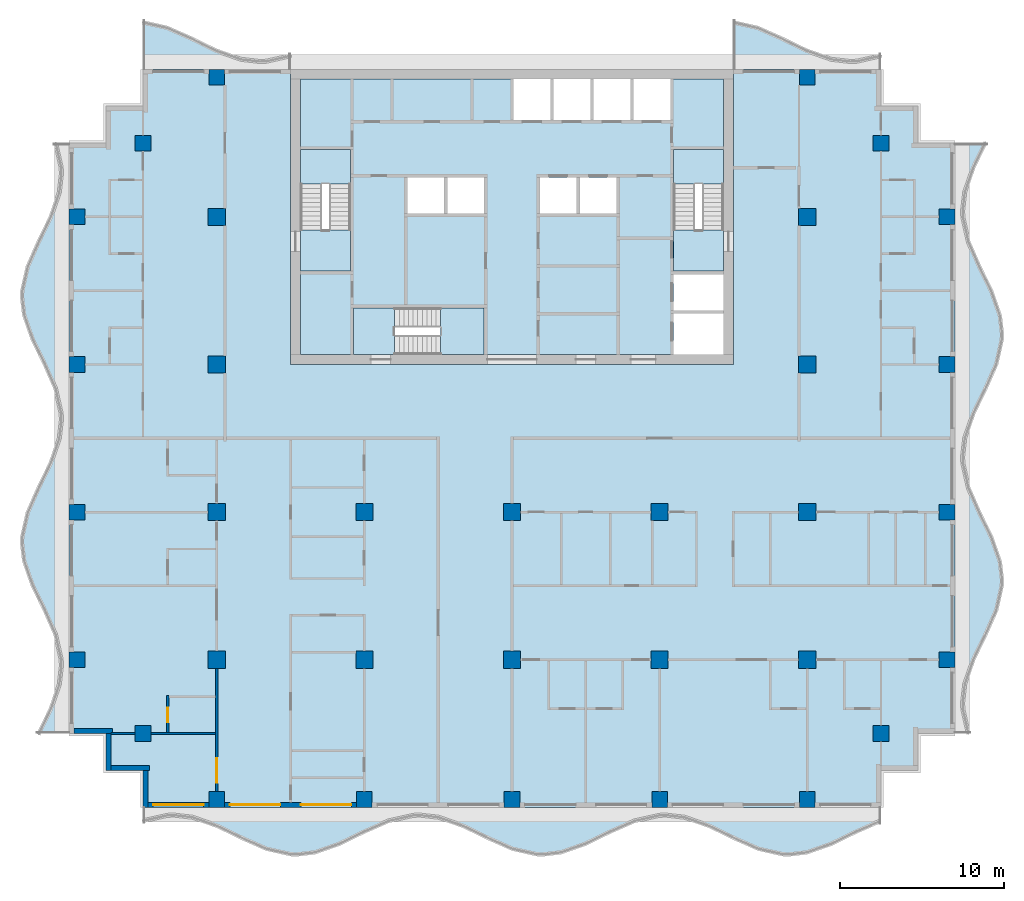
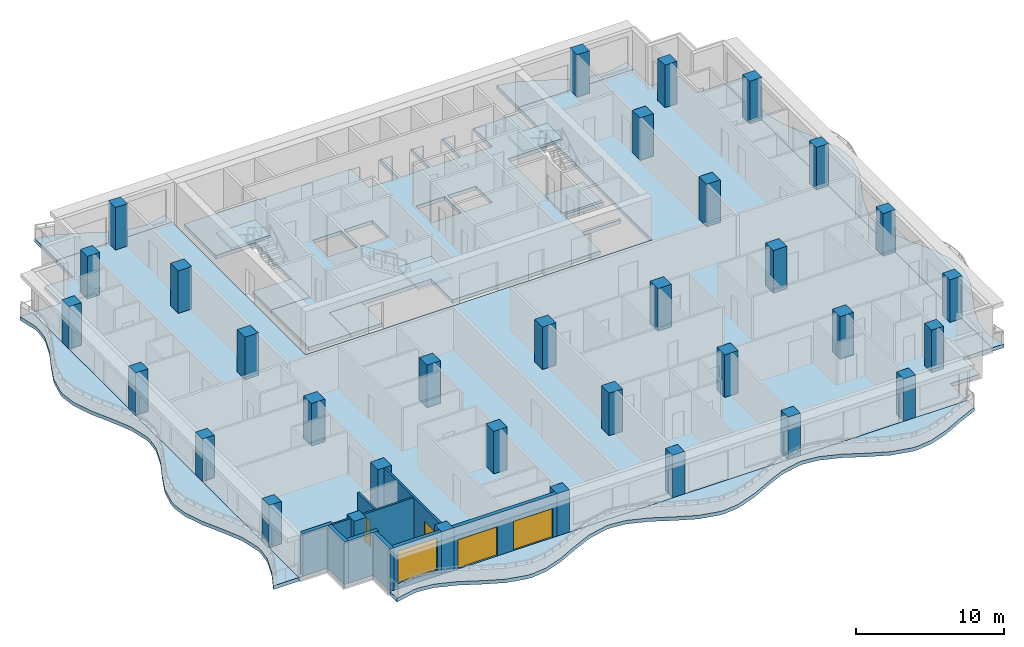
# One storey, part 1 of 11: 33 columns, 13 slabs, 10 walls, 4 doors, 1 window, 5 openings, 3 elements without a shape of their own.
"""IFC4 building model written with IfcOpenShell, lengths in metres."""

from ifc_helpers import new_model, si_unit, direction, frame, frame_2d, origin, origin_2d, place, context, subcontext, project, spatial, polyline, rectangle, outline, extrude, material, layer, layer_set, material_profile, profile_set, type_object, element, fill, aggregate, save


model = new_model("IFC4")

# Units and contexts
model_context = context("Model", 3, precision=1e-05, world=origin(), true_north=direction((0.0, 1.0)))
body_context = subcontext(model_context, "Body", "Model", "MODEL_VIEW")
ifc_project = project(units=[si_unit("LENGTHUNIT", "METRE"), si_unit("AREAUNIT", "SQUARE_METRE"), si_unit("VOLUMEUNIT", "CUBIC_METRE"), si_unit("PLANEANGLEUNIT", "RADIAN"), si_unit("MASSUNIT", "GRAM", prefix="KILO")], contexts=[model_context])

# Site, building, storey
site_placement = place(None, origin())
site = spatial("IfcSite", under=ifc_project, at=site_placement, CompositionType="ELEMENT")
building_placement = place(site_placement, origin())
building = spatial("IfcBuilding", under=site, at=building_placement, Name="Orbiselva Terraces", CompositionType="ELEMENT")
storey_placement = place(building_placement, frame((0.0, 0.0, 230.0)))
storey = spatial("IfcBuildingStorey", under=building, at=storey_placement, Name="L58", CompositionType="ELEMENT", Elevation=230.0)

# Columns
ifc_material_1 = material(Name="Concrete C50/60", Category="concrete")
ifc_material_profile_1 = material_profile(ifc_material_1, rectangle(XDim=1.05, YDim=1.05, at=origin_2d()), Name="RC 1050x1050")
ifc_profile_set_1 = profile_set([ifc_material_profile_1], Name="Concrete C50/60")
column_type_1 = type_object("IfcColumnType", Name="COLUMN RC 1050x1050", PredefinedType="COLUMN", material=ifc_profile_set_1)
for number, where, z_axis, x_axis, name in (
    (1, (-18.0, -13.5, 0.0), (0.0, 0.0, 1.0), (1.0, 0.0, 0.0), "Column L58-01"),
    (2, (-18.0, -4.5, 0.0), (0.0, 0.0, 1.0), (1.0, 0.0, 0.0), "Column L58-03"),
    (3, (-18.0, 13.5, 0.0), (0.0, 0.0, 1.0), (1.0, 0.0, 0.0), "Column L58-04"),
    (4, (-18.0, 4.5, 0.0), (0.0, 0.0, 1.0), (1.0, 0.0, 0.0), "Column L58-06"),
    (5, (-9.0, -13.5, 0.0), (0.0, 0.0, 1.0), (1.0, 0.0, 0.0), "Column L58-13"),
    (6, (-9.0, -4.5, 0.0), (0.0, 0.0, 1.0), (1.0, 0.0, 0.0), "Column L58-15"),
    (7, (0.0, -13.5, 0.0), (0.0, 0.0, 1.0), (1.0, 0.0, 0.0), "Column L58-16"),
    (8, (0.0, -4.5, 0.0), (0.0, 0.0, 1.0), (1.0, 0.0, 0.0), "Column L58-18"),
    (9, (18.0, -13.5, 0.0), (0.0, 0.0, 1.0), (1.0, 0.0, 0.0), "Column L58-19"),
    (10, (18.0, -4.5, 0.0), (0.0, 0.0, 1.0), (1.0, 0.0, 0.0), "Column L58-21"),
    (11, (18.0, 13.5, 0.0), (0.0, 0.0, 1.0), (1.0, 0.0, 0.0), "Column L58-22"),
    (12, (18.0, 4.5, 0.0), (0.0, 0.0, 1.0), (1.0, 0.0, 0.0), "Column L58-24"),
    (13, (9.0, -13.5, 0.0), (0.0, 0.0, 1.0), (1.0, 0.0, 0.0), "Column L58-31"),
    (14, (9.0, -4.5, 0.0), (0.0, 0.0, 1.0), (1.0, 0.0, 0.0), "Column L58-33"),
):
    element("IfcColumn", number, at=place(storey_placement, frame(where, z_axis=z_axis, x_axis=x_axis)), inside=storey, type_object=column_type_1, Name=name, PredefinedType="COLUMN", context=body_context, shape_type="SweptSolid", body=[
        extrude(rectangle(XDim=1.05, YDim=1.05, at=origin_2d()), origin(), (0.0, 0.0, 1.0), 3.5),
    ])
ifc_material_profile_2 = material_profile(ifc_material_1, rectangle(XDim=0.95, YDim=0.95, at=origin_2d()), Name="RC 950x950")
ifc_profile_set_2 = profile_set([ifc_material_profile_2], Name="Concrete C50/60")
column_type_2 = type_object("IfcColumnType", Name="PERIMETER COLUMN RC 950x950", PredefinedType="COLUMN", material=ifc_profile_set_2)
for number, where, z_axis, x_axis, name in (
    (15, (-18.0, -22.025, 0.0), (0.0, 0.0, 1.0), (1.0, 0.0, 0.0), "Column L58-02"),
    (16, (-18.0, 22.025, 0.0), (0.0, 0.0, 1.0), (1.0, 0.0, 0.0), "Column L58-05"),
    (17, (-26.525, -13.5, 0.0), (0.0, 0.0, 1.0), (1.0, 0.0, 0.0), "Column L58-07"),
    (18, (-22.5, -18.0, 0.0), (0.0, 0.0, 1.0), (1.0, 0.0, 0.0), "Column L58-08"),
    (19, (-26.525, -4.5, 0.0), (0.0, 0.0, 1.0), (1.0, 0.0, 0.0), "Column L58-09"),
    (20, (-26.525, 13.5, 0.0), (0.0, 0.0, 1.0), (1.0, 0.0, 0.0), "Column L58-10"),
    (21, (-22.5, 18.0, 0.0), (0.0, 0.0, 1.0), (1.0, 0.0, 0.0), "Column L58-11"),
    (22, (-26.525, 4.5, 0.0), (0.0, 0.0, 1.0), (1.0, 0.0, 0.0), "Column L58-12"),
    (23, (-9.0, -22.025, 0.0), (0.0, 0.0, 1.0), (1.0, 0.0, 0.0), "Column L58-14"),
    (24, (0.0, -22.025, 0.0), (0.0, 0.0, 1.0), (1.0, 0.0, 0.0), "Column L58-17"),
    (25, (18.0, -22.025, 0.0), (0.0, 0.0, 1.0), (1.0, 0.0, 0.0), "Column L58-20"),
    (26, (18.0, 22.025, 0.0), (0.0, 0.0, 1.0), (1.0, 0.0, 0.0), "Column L58-23"),
    (27, (26.525, -13.5, 0.0), (0.0, 0.0, 1.0), (1.0, 0.0, 0.0), "Column L58-25"),
    (28, (22.5, -18.0, 0.0), (0.0, 0.0, 1.0), (1.0, 0.0, 0.0), "Column L58-26"),
    (29, (26.525, -4.5, 0.0), (0.0, 0.0, 1.0), (1.0, 0.0, 0.0), "Column L58-27"),
    (30, (26.525, 13.5, 0.0), (0.0, 0.0, 1.0), (1.0, 0.0, 0.0), "Column L58-28"),
    (31, (22.5, 18.0, 0.0), (0.0, 0.0, 1.0), (1.0, 0.0, 0.0), "Column L58-29"),
    (32, (26.525, 4.5, 0.0), (0.0, 0.0, 1.0), (1.0, 0.0, 0.0), "Column L58-30"),
    (33, (9.0, -22.025, 0.0), (0.0, 0.0, 1.0), (1.0, 0.0, 0.0), "Column L58-32"),
):
    element("IfcColumn", number, at=place(storey_placement, frame(where, z_axis=z_axis, x_axis=x_axis)), inside=storey, type_object=column_type_2, Name=name, PredefinedType="COLUMN", context=body_context, shape_type="SweptSolid", body=[
        extrude(rectangle(XDim=0.95, YDim=0.95, at=origin_2d()), origin(), (0.0, 0.0, 1.0), 3.5),
    ])

# Slabs
ifc_material_2 = material(Name="Concrete C40/50", Category="concrete")
ifc_layer_1 = layer(ifc_material_2, 0.3)
ifc_layer_set_1 = layer_set([ifc_layer_1], Name="Concrete C40/50")
slab_type_1 = type_object("IfcSlabType", Name="CORE-SLAB-FLOOR-300", PredefinedType="FLOOR", material=ifc_layer_set_1)
slab_1_placement = place(storey_placement, frame((0.0, 0.0, -0.3)))
element("IfcSlab", 34, at=slab_1_placement, inside=storey, type_object=slab_type_1, Name="L58 S1 floor landing", PredefinedType="FLOOR", context=body_context, shape_type="SweptSolid", body=[
    extrude(outline(polyline([(-12.9, 12.7), (-9.85, 12.7), (-9.85, 10.2), (-12.9, 10.2), (-12.9, 12.7)])), origin(), (0.0, 0.0, 1.0), 0.3),
])
slab_2_placement = place(storey_placement, frame((0.0, 0.0, -0.3)))
element("IfcSlab", 35, at=slab_2_placement, inside=storey, type_object=slab_type_1, Name="L58 S2 floor landing", PredefinedType="FLOOR", context=body_context, shape_type="SweptSolid", body=[
    extrude(outline(polyline([(12.9, 12.7), (12.9, 10.2), (9.85, 10.2), (9.85, 12.7), (12.9, 12.7)])), origin(), (0.0, 0.0, 1.0), 0.3),
])
slab_3_placement = place(storey_placement, frame((0.0, 0.0, -0.3)))
element("IfcSlab", 36, at=slab_3_placement, inside=storey, type_object=slab_type_1, Name="L58 S3 floor landing", PredefinedType="FLOOR", context=body_context, shape_type="SweptSolid", body=[
    extrude(outline(polyline([(-7.15, 5.1), (-9.65, 5.1), (-9.65, 7.95), (-7.15, 7.95), (-7.15, 5.1)])), origin(), (0.0, 0.0, 1.0), 0.3),
])
slab_4_placement = place(storey_placement, frame((0.0, 0.0, -0.3)))
element("IfcSlab", 37, at=slab_4_placement, inside=storey, type_object=slab_type_1, Name="L58 core floor slab 1", PredefinedType="FLOOR", context=body_context, shape_type="SweptSolid", body=[
    extrude(outline(polyline([(-1.7, 5.1), (-1.7, 7.95), (-9.65, 7.95), (-9.65, 5.1), (-12.9, 5.1), (-12.9, 10.2), (-9.85, 10.2), (-9.85, 17.6), (-12.9, 17.6), (-12.9, 21.9), (0.1, 21.9), (0.1, 19.4), (2.3375, 19.4), (2.3375, 21.9), (2.5375, 21.9), (2.5375, 19.4), (4.775, 19.4), (4.775, 21.9), (4.975, 21.9), (4.975, 19.4), (7.2125, 19.4), (7.2125, 21.9), (7.4125, 21.9), (7.4125, 19.4), (9.65, 19.4), (9.65, 21.9), (12.9, 21.9), (12.9, 17.6), (9.85, 17.6), (9.85, 10.2), (12.9, 10.2), (12.9, 10.0), (9.85, 10.0), (9.85, 7.8), (12.9, 7.8), (12.9, 7.6), (9.85, 7.6), (9.85, 5.1), (-1.7, 5.1)]), holes=[polyline([(-4.1375, 13.7), (-4.1375, 15.9), (-6.375, 15.9), (-6.375, 13.7), (-4.1375, 13.7)]), polyline([(-1.7, 13.7), (-1.7, 15.9), (-3.9375, 15.9), (-3.9375, 13.7), (-1.7, 13.7)]), polyline([(3.9375, 15.9), (1.7, 15.9), (1.7, 13.7), (3.9375, 13.7), (3.9375, 15.9)]), polyline([(6.375, 13.7), (6.375, 15.9), (4.1375, 15.9), (4.1375, 13.7), (6.375, 13.7)])]), origin(), (0.0, 0.0, 1.0), 0.3),
])

# Stair, slab
stair_type_1 = type_object("IfcStairType", Name="CORE-STAIR-1300", PredefinedType="HALF_TURN_STAIR", material=ifc_material_2)
stair_1_placement = place(storey_placement, origin())
stair_1 = element("IfcStair", 38, at=stair_1_placement, inside=storey, type_object=stair_type_1, Name="L58 Exit Stair S1", PredefinedType="HALF_TURN_STAIR")
ifc_layer_2 = layer(ifc_material_2, 0.2)
ifc_layer_set_2 = layer_set([ifc_layer_2], Name="Concrete C40/50")
slab_type_2 = type_object("IfcSlabType", Name="CORE-STAIR-LANDING-200", PredefinedType="LANDING", material=ifc_layer_set_2)
slab_5_placement = place(storey_placement, frame((0.0, 0.0, 1.7)))
slab_5 = element("IfcSlab", 39, at=slab_5_placement, type_object=slab_type_2, Name="S1 landing 1", PredefinedType="LANDING", context=body_context, shape_type="SweptSolid", body=[
    extrude(outline(polyline([(-9.85, 15.5), (-9.85, 17.6), (-12.9, 17.6), (-12.9, 15.5), (-9.85, 15.5)])), origin(), (0.0, 0.0, 1.0), 0.2),
])
aggregate(stair_1, [slab_5])

stair_2_placement = place(storey_placement, origin())
stair_2 = element("IfcStair", 40, at=stair_2_placement, inside=storey, type_object=stair_type_1, Name="L58 Exit Stair S2", PredefinedType="HALF_TURN_STAIR")
slab_6_placement = place(storey_placement, frame((0.0, 0.0, 1.7)))
slab_6 = element("IfcSlab", 41, at=slab_6_placement, type_object=slab_type_2, Name="S2 landing 1", PredefinedType="LANDING", context=body_context, shape_type="SweptSolid", body=[
    extrude(outline(polyline([(12.9, 15.5), (12.9, 17.6), (9.85, 17.6), (9.85, 15.5), (12.9, 15.5)])), origin(), (0.0, 0.0, 1.0), 0.2),
])
aggregate(stair_2, [slab_6])

stair_type_2 = type_object("IfcStairType", Name="CORE-STAIR-1200", PredefinedType="HALF_TURN_STAIR", material=ifc_material_2)
stair_3_placement = place(storey_placement, origin())
stair_3 = element("IfcStair", 42, at=stair_3_placement, inside=storey, type_object=stair_type_2, Name="L58 Exit Stair S3", PredefinedType="HALF_TURN_STAIR")
slab_7_placement = place(storey_placement, frame((0.0, 0.0, 1.7)))
slab_7 = element("IfcSlab", 43, at=slab_7_placement, type_object=slab_type_2, Name="S3 landing 1", PredefinedType="LANDING", context=body_context, shape_type="SweptSolid", body=[
    extrude(outline(polyline([(-4.35, 5.1), (-1.7, 5.1), (-1.7, 7.95), (-4.35, 7.95), (-4.35, 5.1)])), origin(), (0.0, 0.0, 1.0), 0.2),
])
aggregate(stair_3, [slab_7])

# Slabs
ifc_layer_3 = layer(ifc_material_1, 0.3)
ifc_layer_set_3 = layer_set([ifc_layer_3], Name="Concrete C50/60")
slab_type_3 = type_object("IfcSlabType", Name="ENV-BALCONY-SLAB-300", PredefinedType="FLOOR", material=ifc_layer_set_3)
slab_8_placement = place(storey_placement, frame((0.0, 0.0, -0.3)))
element("IfcSlab", 44, at=slab_8_placement, inside=storey, type_object=slab_type_3, Name="Balcony slab L58 S", PredefinedType="FLOOR", context=body_context, shape_type="SweptSolid", body=[
    extrude(outline(polyline([(-22.5, -23.451472), (-21.0, -23.114774), (-20.625, -23.1), (-19.5, -23.230792), (-18.0, -23.755211), (-16.5, -24.487721), (-15.0, -25.148528), (-13.5, -25.485226), (-13.125, -25.5), (-12.0, -25.369208), (-10.5, -24.844789), (-9.0, -24.112279), (-7.5, -23.451472), (-6.0, -23.114774), (-5.625, -23.1), (-4.5, -23.230792), (-3.0, -23.755211), (-1.5, -24.487721), (0.0, -25.148528), (1.5, -25.485226), (1.875, -25.5), (3.0, -25.369208), (4.5, -24.844789), (6.0, -24.112279), (7.5, -23.451472), (9.0, -23.114774), (9.375, -23.1), (10.5, -23.230792), (12.0, -23.755211), (13.5, -24.487721), (15.0, -25.148528), (16.5, -25.485226), (16.875, -25.5), (18.0, -25.369208), (19.5, -24.844789), (21.0, -24.112279), (22.5, -23.451472), (22.5, -22.5), (-22.5, -22.5), (-22.5, -23.451472)])), origin(), (0.0, 0.0, 1.0), 0.3),
])
slab_9_placement = place(storey_placement, frame((0.0, 0.0, -0.3)))
element("IfcSlab", 45, at=slab_9_placement, inside=storey, type_object=slab_type_3, Name="Balcony slab L58 E", PredefinedType="FLOOR", context=body_context, shape_type="SweptSolid", body=[
    extrude(outline(polyline([(27.951472, -18.0), (27.614774, -16.5), (27.6, -16.125), (27.730792, -15.0), (28.255211, -13.5), (28.987721, -12.0), (29.648528, -10.5), (29.985226, -9.0), (30.0, -8.625), (29.869208, -7.5), (29.344789, -6.0), (28.612279, -4.5), (27.951472, -3.0), (27.614774, -1.5), (27.6, -1.125), (27.730792, 0.0), (28.255211, 1.5), (28.987721, 3.0), (29.648528, 4.5), (29.985226, 6.0), (30.0, 6.375), (29.869208, 7.5), (29.344789, 9.0), (28.612279, 10.5), (27.951472, 12.0), (27.614774, 13.5), (27.6, 13.875), (27.730792, 15.0), (28.255211, 16.5), (28.987721, 18.0), (27.0, 18.0), (27.0, -18.0), (27.951472, -18.0)])), origin(), (0.0, 0.0, 1.0), 0.3),
])
slab_10_placement = place(storey_placement, frame((0.0, 0.0, -0.3)))
element("IfcSlab", 46, at=slab_10_placement, inside=storey, type_object=slab_type_3, Name="Balcony slab L58 NE", PredefinedType="FLOOR", context=body_context, shape_type="SweptSolid", body=[
    extrude(outline(polyline([(22.5, 23.451472), (21.0, 23.114774), (20.625, 23.1), (19.5, 23.230792), (18.0, 23.755211), (16.5, 24.487721), (15.0, 25.148528), (13.5, 25.485226), (13.5, 22.5), (22.5, 22.5), (22.5, 23.451472)])), origin(), (0.0, 0.0, 1.0), 0.3),
])
slab_11_placement = place(storey_placement, frame((0.0, 0.0, -0.3)))
element("IfcSlab", 47, at=slab_11_placement, inside=storey, type_object=slab_type_3, Name="Balcony slab L58 NW", PredefinedType="FLOOR", context=body_context, shape_type="SweptSolid", body=[
    extrude(outline(polyline([(-13.5, 23.451472), (-15.0, 23.114774), (-15.375, 23.1), (-16.5, 23.230792), (-18.0, 23.755211), (-19.5, 24.487721), (-21.0, 25.148528), (-22.5, 25.485226), (-22.5, 22.5), (-13.5, 22.5), (-13.5, 23.451472)])), origin(), (0.0, 0.0, 1.0), 0.3),
])
slab_12_placement = place(storey_placement, frame((0.0, 0.0, -0.3)))
element("IfcSlab", 48, at=slab_12_placement, inside=storey, type_object=slab_type_3, Name="Balcony slab L58 W", PredefinedType="FLOOR", context=body_context, shape_type="SweptSolid", body=[
    extrude(outline(polyline([(-27.951472, 18.0), (-27.614774, 16.5), (-27.6, 16.125), (-27.730792, 15.0), (-28.255211, 13.5), (-28.987721, 12.0), (-29.648528, 10.5), (-29.985226, 9.0), (-30.0, 8.625), (-29.869208, 7.5), (-29.344789, 6.0), (-28.612279, 4.5), (-27.951472, 3.0), (-27.614774, 1.5), (-27.6, 1.125), (-27.730792, 0.0), (-28.255211, -1.5), (-28.987721, -3.0), (-29.648528, -4.5), (-29.985226, -6.0), (-30.0, -6.375), (-29.869208, -7.5), (-29.344789, -9.0), (-28.612279, -10.5), (-27.951472, -12.0), (-27.614774, -13.5), (-27.6, -13.875), (-27.730792, -15.0), (-28.255211, -16.5), (-28.987721, -18.0), (-27.0, -18.0), (-27.0, 18.0), (-27.951472, 18.0)])), origin(), (0.0, 0.0, 1.0), 0.3),
])
ifc_layer_4 = layer(ifc_material_1, 0.3)
ifc_layer_set_4 = layer_set([ifc_layer_4], Name="Concrete C50/60")
slab_type_4 = type_object("IfcSlabType", Name="FLOOR SLAB 300", PredefinedType="FLOOR", material=ifc_layer_set_4)
slab_13_placement = place(storey_placement, frame((0.0, 0.0, -0.3)))
element("IfcSlab", 49, at=slab_13_placement, inside=storey, type_object=slab_type_4, Name="Floor slab L58", PredefinedType="FLOOR", context=body_context, shape_type="SweptSolid", body=[
    extrude(outline(polyline([(22.5, 22.5), (22.5, 20.25), (24.75, 20.25), (24.75, 18.0), (27.0, 18.0), (27.0, -18.0), (24.75, -18.0), (24.75, -20.25), (22.5, -20.25), (22.5, -22.5), (-22.5, -22.5), (-22.5, -20.25), (-24.75, -20.25), (-24.75, -18.0), (-27.0, -18.0), (-27.0, 18.0), (-24.75, 18.0), (-24.75, 20.25), (-22.5, 20.25), (-22.5, 22.5), (-13.5, 22.5), (-13.5, 4.5), (13.5, 4.5), (13.5, 22.5), (22.5, 22.5)])), origin(), (0.0, 0.0, 1.0), 0.3),
])

# Wall, opening, window
ifc_material_3 = material(Name="Terracotta cladding on masonry backing", Category="masonry")
ifc_layer_5 = layer(ifc_material_3, 0.3)
ifc_layer_set_5 = layer_set([ifc_layer_5], Name="Terracotta cladding on masonry backing")
wall_type_1 = type_object("IfcWallType", Name="ENV-WALL-TERRACOTTA-300", PredefinedType="SOLIDWALL", material=ifc_layer_set_5)
wall_1_placement = place(storey_placement, frame((-18.475, -22.35, 0.0), z_axis=(0.0, 0.0, 1.0), x_axis=(-1.0, 0.0, 0.0)))
wall_1 = element("IfcWall", 50, at=wall_1_placement, inside=storey, type_object=wall_type_1, Name="Facade wall L58 S", PredefinedType="SOLIDWALL", context=body_context, shape_type="SweptSolid", body=[
    extrude(rectangle(XDim=3.725, YDim=0.3, at=frame_2d((1.8625, 0.0))), origin(), (0.0, 0.0, 1.0), 3.5),
])
opening_1_placement = place(wall_1_placement, frame((0.325, 0.0, 0.45)))
opening_1 = element("IfcOpeningElement", 51, at=opening_1_placement, cuts=wall_1, Name="Opening WN15", PredefinedType="OPENING", context=body_context, shape_type="SweptSolid", body=[
    extrude(rectangle(XDim=3.075, YDim=2.65, at=frame_2d((1.5375, 1.325))), frame((0.0, 0.16, 0.0), z_axis=(0.0, -1.0, 0.0), x_axis=(1.0, 0.0, 0.0)), (0.0, 0.0, 1.0), 0.32),
])
ifc_material_4 = material(Name="Clear low-e glazing in aluminium frame", Category="aluminium")
window_type = type_object("IfcWindowType", Name="WINDOW 3075 X 2650 S450", PartitioningType="TRIPLE_PANEL_VERTICAL", PredefinedType="WINDOW", material=ifc_material_4)
window_placement = place(opening_1_placement, origin())
window = element("IfcWindow", 52, at=window_placement, inside=storey, type_object=window_type, Name="Window L58 S", OverallHeight=2.65, OverallWidth=3.075, PartitioningType="SINGLE_PANEL", PredefinedType="WINDOW", context=body_context, shape_type="SweptSolid", body=[
    extrude(rectangle(XDim=3.075, YDim=2.65, at=frame_2d((1.5375, 1.325))), frame((0.0, 0.03, 0.0), z_axis=(0.0, -1.0, 0.0), x_axis=(1.0, 0.0, 0.0)), (0.0, 0.0, 1.0), 0.06),
])
fill(opening_1, window)

# Wall, openings, doors
wall_2_placement = place(storey_placement, frame((-9.475, -22.35, 0.0), z_axis=(0.0, 0.0, 1.0), x_axis=(-1.0, 0.0, 0.0)))
wall_2 = element("IfcWall", 53, at=wall_2_placement, inside=storey, type_object=wall_type_1, Name="Facade wall L58 S", PredefinedType="SOLIDWALL", context=body_context, shape_type="SweptSolid", body=[
    extrude(rectangle(XDim=8.05, YDim=0.3, at=frame_2d((4.025, 0.0))), origin(), (0.0, 0.0, 1.0), 3.5),
])
opening_2_placement = place(wall_2_placement, frame((4.65, 0.0, 0.0)))
opening_2 = element("IfcOpeningElement", 54, at=opening_2_placement, cuts=wall_2, Name="Opening Z4-E-E10", PredefinedType="OPENING", context=body_context, shape_type="SweptSolid", body=[
    extrude(rectangle(XDim=3.075, YDim=2.4, at=frame_2d((1.5375, 1.2))), frame((0.0, 0.16, 0.0), z_axis=(0.0, -1.0, 0.0), x_axis=(1.0, 0.0, 0.0)), (0.0, 0.0, 1.0), 0.32),
])
opening_3_placement = place(wall_2_placement, frame((0.325, 0.0, 0.0)))
opening_3 = element("IfcOpeningElement", 55, at=opening_3_placement, cuts=wall_2, Name="Opening Z4-E-E01", PredefinedType="OPENING", context=body_context, shape_type="SweptSolid", body=[
    extrude(rectangle(XDim=3.075, YDim=2.4, at=frame_2d((1.5375, 1.2))), frame((0.0, 0.16, 0.0), z_axis=(0.0, -1.0, 0.0), x_axis=(1.0, 0.0, 0.0)), (0.0, 0.0, 1.0), 0.32),
])
door_type_1 = type_object("IfcDoorType", Name="BALCONY DOOR 3075 X 2400", OperationType="DOUBLE_DOOR_SLIDING", PredefinedType="DOOR", material=ifc_material_4)
door_1_placement = place(opening_2_placement, origin())
door_1 = element("IfcDoor", 56, at=door_1_placement, inside=storey, type_object=door_type_1, Name="Z4-E-E10", OperationType="SINGLE_SWING_LEFT", OverallHeight=2.4, OverallWidth=3.075, PredefinedType="DOOR", context=body_context, shape_type="SweptSolid", body=[
    extrude(rectangle(XDim=3.075, YDim=2.4, at=frame_2d((1.5375, 1.2))), frame((0.0, 0.025, 0.0), z_axis=(0.0, -1.0, 0.0), x_axis=(1.0, 0.0, 0.0)), (0.0, 0.0, 1.0), 0.05),
])
fill(opening_2, door_1)
door_2_placement = place(opening_3_placement, origin())
door_2 = element("IfcDoor", 57, at=door_2_placement, inside=storey, type_object=door_type_1, Name="Z4-E-E01", OperationType="SINGLE_SWING_LEFT", OverallHeight=2.4, OverallWidth=3.075, PredefinedType="DOOR", context=body_context, shape_type="SweptSolid", body=[
    extrude(rectangle(XDim=3.075, YDim=2.4, at=frame_2d((1.5375, 1.2))), frame((0.0, 0.025, 0.0), z_axis=(0.0, -1.0, 0.0), x_axis=(1.0, 0.0, 0.0)), (0.0, 0.0, 1.0), 0.05),
])
fill(opening_3, door_2)

# Walls
wall_3_placement = place(storey_placement, frame((-24.35, -17.85, 0.0), z_axis=(0.0, 0.0, 1.0), x_axis=(-1.0, 0.0, 0.0)))
element("IfcWall", 58, at=wall_3_placement, inside=storey, type_object=wall_type_1, Name="Facade wall L58 STEP", PredefinedType="SOLIDWALL", context=body_context, shape_type="SweptSolid", body=[
    extrude(rectangle(XDim=2.35, YDim=0.3, at=frame_2d((1.175, 0.0))), origin(), (0.0, 0.0, 1.0), 3.5),
])
wall_4_placement = place(storey_placement, frame((-24.6, -20.25, 0.0), z_axis=(0.0, 0.0, 1.0), x_axis=(0.0, 1.0, 0.0)))
element("IfcWall", 59, at=wall_4_placement, inside=storey, type_object=wall_type_1, Name="Facade wall L58 STEP", PredefinedType="SOLIDWALL", context=body_context, shape_type="SweptSolid", body=[
    extrude(rectangle(XDim=2.25, YDim=0.3, at=frame_2d((1.125, 0.0))), origin(), (0.0, 0.0, 1.0), 3.5),
])
wall_5_placement = place(storey_placement, frame((-22.1, -20.1, 0.0), z_axis=(0.0, 0.0, 1.0), x_axis=(-1.0, 0.0, 0.0)))
element("IfcWall", 60, at=wall_5_placement, inside=storey, type_object=wall_type_1, Name="Facade wall L58 STEP", PredefinedType="SOLIDWALL", context=body_context, shape_type="SweptSolid", body=[
    extrude(rectangle(XDim=2.35, YDim=0.3, at=frame_2d((1.175, 0.0))), origin(), (0.0, 0.0, 1.0), 3.5),
])
wall_6_placement = place(storey_placement, frame((-22.35, -22.5, 0.0), z_axis=(0.0, 0.0, 1.0), x_axis=(0.0, 1.0, 0.0)))
element("IfcWall", 61, at=wall_6_placement, inside=storey, type_object=wall_type_1, Name="Facade wall L58 STEP", PredefinedType="SOLIDWALL", context=body_context, shape_type="SweptSolid", body=[
    extrude(rectangle(XDim=2.25, YDim=0.3, at=frame_2d((1.125, 0.0))), origin(), (0.0, 0.0, 1.0), 3.5),
])
ifc_material_5 = material(Name="Plasterboard on steel stud partition", Category="steel")
ifc_layer_6 = layer(ifc_material_5, 0.15)
ifc_layer_set_6 = layer_set([ifc_layer_6], Name="Plasterboard on steel stud partition")
wall_type_2 = type_object("IfcWallType", Name="UNIT-PARTITION-150", PredefinedType="PARTITIONING", material=ifc_layer_set_6)
wall_7_placement = place(storey_placement, frame((-24.45, -18.0, 0.0), z_axis=(0.0, 0.0, 1.0), x_axis=(1.0, 0.0, 0.0)))
element("IfcWall", 62, at=wall_7_placement, inside=storey, type_object=wall_type_2, Name="PARTITION L58-003", PredefinedType="PARTITIONING", context=body_context, shape_type="SweptSolid", body=[
    extrude(rectangle(XDim=1.475, YDim=0.15, at=frame_2d((0.7375, 0.0))), origin(), (0.0, 0.0, 1.0), 3.5),
])
wall_8_placement = place(storey_placement, frame((-22.025, -18.0, 0.0), z_axis=(0.0, 0.0, 1.0), x_axis=(1.0, 0.0, 0.0)))
element("IfcWall", 63, at=wall_8_placement, inside=storey, type_object=wall_type_2, Name="PARTITION L58-004", PredefinedType="PARTITIONING", context=body_context, shape_type="SweptSolid", body=[
    extrude(rectangle(XDim=3.95, YDim=0.15, at=frame_2d((1.975, 0.0))), origin(), (0.0, 0.0, 1.0), 3.5),
])

# Wall, opening, door
wall_9_placement = place(storey_placement, frame((-21.0, -15.675, 0.0), z_axis=(0.0, 0.0, 1.0), x_axis=(0.0, -1.0, 0.0)))
wall_9 = element("IfcWall", 64, at=wall_9_placement, inside=storey, type_object=wall_type_2, Name="PARTITION L58-051", PredefinedType="PARTITIONING", context=body_context, shape_type="SweptSolid", body=[
    extrude(rectangle(XDim=2.25, YDim=0.15, at=frame_2d((1.125, 0.0))), origin(), (0.0, 0.0, 1.0), 3.5),
])
opening_4_placement = place(wall_9_placement, frame((0.75, 0.0, 0.0)))
opening_4 = element("IfcOpeningElement", 65, at=opening_4_placement, cuts=wall_9, Name="Opening Z4-E-28", PredefinedType="OPENING", context=body_context, shape_type="SweptSolid", body=[
    extrude(rectangle(XDim=0.9, YDim=2.1, at=frame_2d((0.45, 1.05))), frame((0.0, 0.085, 0.0), z_axis=(0.0, -1.0, 0.0), x_axis=(1.0, 0.0, 0.0)), (0.0, 0.0, 1.0), 0.17),
])
ifc_material_6 = material(Name="Painted timber door leaf", Category="wood")
door_type_2 = type_object("IfcDoorType", Name="BATH DOOR 900", OperationType="NOTDEFINED", PredefinedType="DOOR", material=ifc_material_6)
door_3_placement = place(opening_4_placement, origin())
door_3 = element("IfcDoor", 66, at=door_3_placement, inside=storey, type_object=door_type_2, Name="Z4-E-28", OperationType="SINGLE_SWING_RIGHT", OverallHeight=2.1, OverallWidth=0.9, PredefinedType="DOOR", context=body_context, shape_type="SweptSolid", body=[
    extrude(rectangle(XDim=0.9, YDim=2.1, at=frame_2d((0.45, 1.05))), frame((0.0, 0.025, 0.0), z_axis=(0.0, -1.0, 0.0), x_axis=(1.0, 0.0, 0.0)), (0.0, 0.0, 1.0), 0.05),
])
fill(opening_4, door_3)

wall_10_placement = place(storey_placement, frame((-18.0, -21.55, 0.0), z_axis=(0.0, 0.0, 1.0), x_axis=(0.0, 1.0, 0.0)))
wall_10 = element("IfcWall", 67, at=wall_10_placement, inside=storey, type_object=wall_type_2, Name="PARTITION L58-054", PredefinedType="PARTITIONING", context=body_context, shape_type="SweptSolid", body=[
    extrude(rectangle(XDim=7.525, YDim=0.15, at=frame_2d((3.7625, 0.0))), origin(), (0.0, 0.0, 1.0), 3.5),
])
opening_5_placement = place(wall_10_placement, frame((0.55, 0.0, 0.0)))
opening_5 = element("IfcOpeningElement", 68, at=opening_5_placement, cuts=wall_10, Name="Opening Z4-E-26", PredefinedType="OPENING", context=body_context, shape_type="SweptSolid", body=[
    extrude(rectangle(XDim=1.5, YDim=2.4, at=frame_2d((0.75, 1.2))), frame((0.0, 0.085, 0.0), z_axis=(0.0, -1.0, 0.0), x_axis=(1.0, 0.0, 0.0)), (0.0, 0.0, 1.0), 0.17),
])
door_type_3 = type_object("IfcDoorType", Name="DOUBLE DOOR 1500", OperationType="NOTDEFINED", PredefinedType="DOOR", material=ifc_material_6)
door_4_placement = place(opening_5_placement, origin())
door_4 = element("IfcDoor", 69, at=door_4_placement, inside=storey, type_object=door_type_3, Name="Z4-E-26", OperationType="DOUBLE_DOOR_SINGLE_SWING", OverallHeight=2.4, OverallWidth=1.5, PredefinedType="DOOR", context=body_context, shape_type="SweptSolid", body=[
    extrude(rectangle(XDim=1.5, YDim=2.4, at=frame_2d((0.75, 1.2))), frame((0.0, 0.025, 0.0), z_axis=(0.0, -1.0, 0.0), x_axis=(1.0, 0.0, 0.0)), (0.0, 0.0, 1.0), 0.05),
])
fill(opening_5, door_4)

save(model, "model.ifc")
